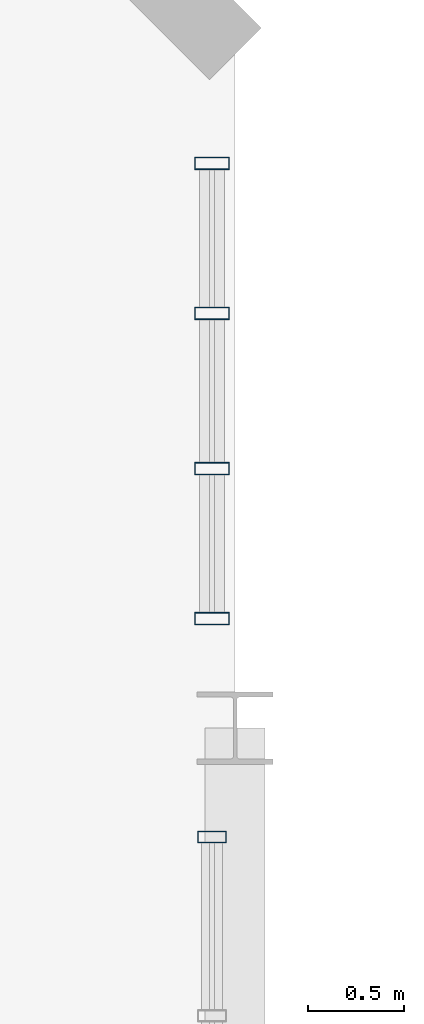
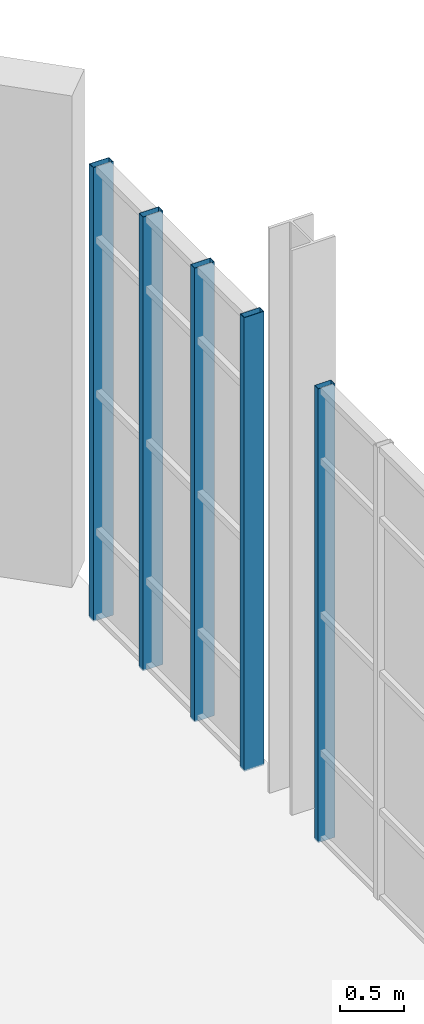
# One storey, part 87 of 189: 5 members, 2 elements without a shape of their own.
"""IFC4 building model written with IfcOpenShell, lengths in metres."""

from ifc_helpers import new_model, si_unit, direction, frame, origin, origin_2d, place, context, subcontext, project, spatial, hollow_rectangle, extrude, material, layer, layer_set, material_profile, profile_set, type_object, element, aggregate, save


model = new_model("IFC4")

# Units and contexts
model_context = context("Model", 3, precision=1e-05, world=origin(), true_north=direction((0.0, 1.0)))
body_context = subcontext(model_context, "Body", "Model", "MODEL_VIEW")
ifc_project = project(units=[si_unit("LENGTHUNIT", "METRE"), si_unit("AREAUNIT", "SQUARE_METRE"), si_unit("VOLUMEUNIT", "CUBIC_METRE"), si_unit("PLANEANGLEUNIT", "RADIAN"), si_unit("MASSUNIT", "GRAM", prefix="KILO"), si_unit("THERMODYNAMICTEMPERATUREUNIT", "KELVIN"), si_unit("POWERUNIT", "WATT")], contexts=[model_context])

# Site, building, storey
site_placement = place(None, origin())
site = spatial("IfcSite", under=ifc_project, at=site_placement, CompositionType="ELEMENT")
building_placement = place(site_placement, origin())
building = spatial("IfcBuilding", under=site, at=building_placement, Name="Zelmaris Science Centre", CompositionType="ELEMENT")
storey_placement = place(building_placement, origin())
storey = spatial("IfcBuildingStorey", under=building, at=storey_placement, Name="L00", CompositionType="ELEMENT", Elevation=0.0)

# Curtain wall, member
ifc_material = material(Name="Anodised architectural aluminium 6063-T6", Category="aluminium")
ifc_layer_1 = layer(ifc_material, 0.219970703125, Name="Anodised architectural aluminium 6063-T6")
ifc_layer_set_1 = layer_set([ifc_layer_1], Name="Anodised architectural aluminium 6063-T6")
curtain_wall_type_1 = type_object("IfcCurtainWallType", Name="Curtain Wall CW-04", PredefinedType="USERDEFINED", material=ifc_layer_set_1)
curtain_wall_1_placement = place(storey_placement, origin())
curtain_wall_1 = element("IfcCurtainWall", 1, at=curtain_wall_1_placement, inside=storey, type_object=curtain_wall_type_1, Name="L00 Unitised curtain wall 24", ObjectType="GLAZED CURTAIN WALL", PredefinedType="USERDEFINED")
ifc_material_profile_1 = material_profile(ifc_material, hollow_rectangle(XDim=0.06005859375, YDim=0.14990234375, WallThickness=0.00341796875, at=origin_2d()), Name="ALU-MUL-60X150")
ifc_profile_set_1 = profile_set([ifc_material_profile_1], Name="Anodised architectural aluminium 6063-T6")
member_type_1 = type_object("IfcMemberType", Name="ALU-MUL-60X150", PredefinedType="MULLION", material=ifc_profile_set_1)
member_1_placement = place(storey_placement, frame((44.8798828125, 79.43408203125, -0.014892578125), z_axis=(0.0, 0.0, 1.0), x_axis=(8.726646e-06, -0.999999999962, 0.0)))
member_1 = element("IfcMember", 2, at=member_1_placement, type_object=member_type_1, Name="CW-04 mullion 1", PredefinedType="MULLION", context=body_context, shape_type="SweptSolid", body=[
    extrude(hollow_rectangle(XDim=0.06005859375, YDim=0.14990234375, WallThickness=0.00341796875, at=origin_2d()), origin(), (0.0, 0.0, 1.0), 4.337890625),
])
aggregate(curtain_wall_1, [member_1])

# Curtain wall, members
ifc_layer_2 = layer(ifc_material, 0.2099609375, Name="Anodised architectural aluminium 6063-T6")
ifc_layer_set_2 = layer_set([ifc_layer_2], Name="Anodised architectural aluminium 6063-T6")
curtain_wall_type_2 = type_object("IfcCurtainWallType", Name="Curtain Wall CW-03", PredefinedType="USERDEFINED", material=ifc_layer_set_2)
curtain_wall_2_placement = place(storey_placement, origin())
curtain_wall_2 = element("IfcCurtainWall", 3, at=curtain_wall_2_placement, inside=storey, type_object=curtain_wall_type_2, Name="L00 Unitised curtain wall 23", ObjectType="GLAZED CURTAIN WALL", PredefinedType="USERDEFINED")
ifc_material_profile_2 = material_profile(ifc_material, hollow_rectangle(XDim=0.06494140625, YDim=0.179931640625, WallThickness=0.00390625, at=origin_2d()), Name="ALU-MUL-65X180")
ifc_profile_set_2 = profile_set([ifc_material_profile_2], Name="Anodised architectural aluminium 6063-T6")
member_type_2 = type_object("IfcMemberType", Name="ALU-MUL-65X180", PredefinedType="MULLION", material=ifc_profile_set_2)
member_2_placement = place(storey_placement, frame((44.8798828125, 82.931396484375, -0.014892578125), z_axis=(0.0, 0.0, 1.0), x_axis=(8.726646e-06, -0.999999999962, 0.0)))
member_2 = element("IfcMember", 4, at=member_2_placement, type_object=member_type_2, Name="CW-03 mullion 1", PredefinedType="MULLION", context=body_context, shape_type="SweptSolid", body=[
    extrude(hollow_rectangle(XDim=0.06494140625, YDim=0.179931640625, WallThickness=0.00390625, at=origin_2d()), origin(), (0.0, 0.0, 1.0), 4.337890625),
])
member_3_placement = place(storey_placement, frame((44.8798828125, 82.1533203125, -0.014892578125), z_axis=(0.0, 0.0, 1.0), x_axis=(8.726646e-06, -0.999999999962, 0.0)))
member_3 = element("IfcMember", 5, at=member_3_placement, type_object=member_type_2, Name="CW-03 mullion 2", PredefinedType="MULLION", context=body_context, shape_type="SweptSolid", body=[
    extrude(hollow_rectangle(XDim=0.06494140625, YDim=0.179931640625, WallThickness=0.00390625, at=origin_2d()), origin(), (0.0, 0.0, 1.0), 4.337890625),
])
member_4_placement = place(storey_placement, frame((44.8798828125, 81.3466796875, -0.014892578125), z_axis=(0.0, 0.0, 1.0), x_axis=(8.726646e-06, -0.999999999962, 0.0)))
member_4 = element("IfcMember", 6, at=member_4_placement, type_object=member_type_2, Name="CW-03 mullion 3", PredefinedType="MULLION", context=body_context, shape_type="SweptSolid", body=[
    extrude(hollow_rectangle(XDim=0.06494140625, YDim=0.179931640625, WallThickness=0.00390625, at=origin_2d()), origin(), (0.0, 0.0, 1.0), 4.337890625),
])
member_5_placement = place(storey_placement, frame((44.8798828125, 80.568603515625, -0.014892578125), z_axis=(0.0, 0.0, 1.0), x_axis=(8.726646e-06, -0.999999999962, 0.0)))
member_5 = element("IfcMember", 7, at=member_5_placement, type_object=member_type_2, Name="CW-03 mullion 4", PredefinedType="MULLION", context=body_context, shape_type="SweptSolid", body=[
    extrude(hollow_rectangle(XDim=0.06494140625, YDim=0.179931640625, WallThickness=0.00390625, at=origin_2d()), origin(), (0.0, 0.0, 1.0), 4.337890625),
])
aggregate(curtain_wall_2, [member_2, member_3, member_4, member_5])

save(model, "model.ifc")
